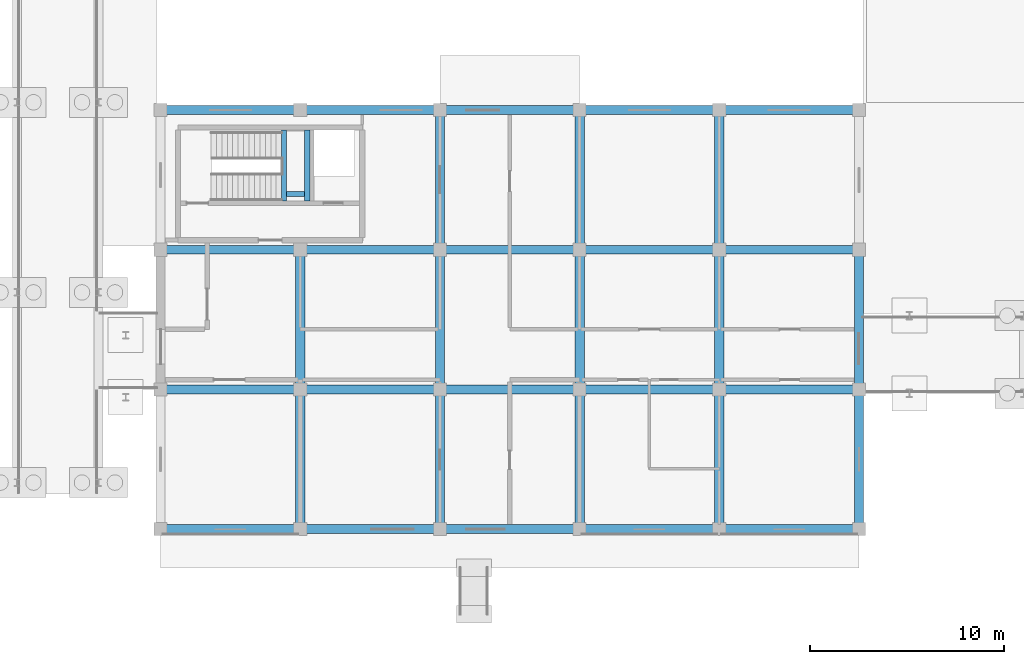
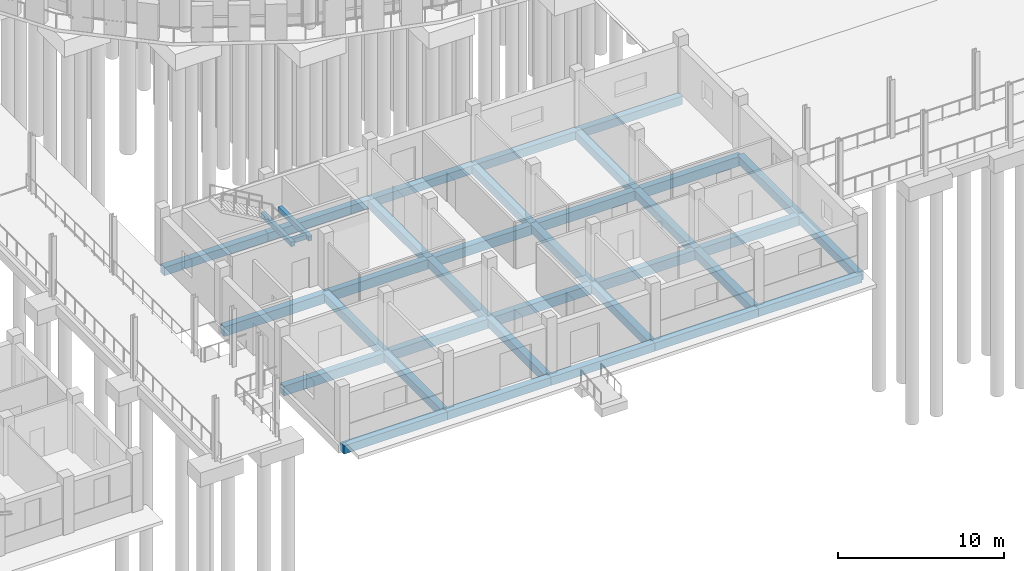
# One storey, part 28 of 98: 36 beams.
"""IFC4 building model written with IfcOpenShell, lengths in metres."""

from ifc_helpers import new_model, si_unit, direction, frame, origin, origin_2d, place, context, subcontext, project, spatial, rectangle, extrude, material, material_profile, profile_set, type_object, element, save


model = new_model("IFC4")

# Units and contexts
model_context = context("Model", 3, precision=1e-05, world=origin(), true_north=direction((0.0, 1.0)))
body_context = subcontext(model_context, "Body", "Model", "MODEL_VIEW")
ifc_project = project(units=[si_unit("LENGTHUNIT", "METRE"), si_unit("AREAUNIT", "SQUARE_METRE"), si_unit("VOLUMEUNIT", "CUBIC_METRE"), si_unit("PLANEANGLEUNIT", "RADIAN"), si_unit("MASSUNIT", "GRAM", prefix="KILO")], contexts=[model_context])

# Site, building, storey
site_placement = place(None, origin())
site = spatial("IfcSite", under=ifc_project, at=site_placement, CompositionType="ELEMENT")
building_placement = place(site_placement, origin())
building = spatial("IfcBuilding", under=site, at=building_placement, Name="Zornivar Specialist Clinic", CompositionType="ELEMENT")
storey_placement = place(building_placement, origin())
storey = spatial("IfcBuildingStorey", under=building, at=storey_placement, Name="L00", CompositionType="ELEMENT", Elevation=0.0)

# Beams
ifc_material_1 = material(Name="Concrete C30/37", Category="concrete")
ifc_material_profile_1 = material_profile(ifc_material_1, rectangle(XDim=0.260009765625, YDim=0.340087890625, at=origin_2d()), Name="RC 260x340")
ifc_profile_set_1 = profile_set([ifc_material_profile_1], Name="Concrete C30/37")
beam_type_1 = type_object("IfcBeamType", Name="BM-LAND-260x340", PredefinedType="BEAM", material=ifc_profile_set_1)
for number, where, z_axis, x_axis, name in (
    (1, (63.9599609375, 16.89990234375, 1.8701171875), (0.0, 1.0, 0.0), (-1.0, 0.0, 0.0), "bm:stair:C5:L00:lW"),
    (2, (65.159912109375, 16.89990234375, 1.8701171875), (0.0, 1.0, 0.0), (-1.0, 0.0, 0.0), "bm:stair:C5:L00:lE"),
):
    element("IfcBeam", number, at=place(storey_placement, frame(where, z_axis=z_axis, x_axis=x_axis)), inside=storey, type_object=beam_type_1, Name=name, PredefinedType="BEAM", context=body_context, shape_type="SweptSolid", body=[
        extrude(rectangle(XDim=0.260009765625, YDim=0.340087890625, at=origin_2d()), origin(), (0.0, 0.0, 1.0), 3.66015625),
    ])
beam_1_placement = place(storey_placement, frame((64.094970703125, 17.280029296875, 1.8701171875), z_axis=(1.0, 0.0, 0.0), x_axis=(0.0, 1.0, 0.0)))
element("IfcBeam", 3, at=beam_1_placement, inside=storey, type_object=beam_type_1, Name="bm:stair:C5:L00:lS", PredefinedType="BEAM", context=body_context, shape_type="SweptSolid", body=[
    extrude(rectangle(XDim=0.260009765625, YDim=0.340087890625, at=origin_2d()), origin(), (0.0, 0.0, 1.0), 0.929931640625),
])
ifc_material_2 = material(Name="Concrete C30/37", Category="concrete")
ifc_material_profile_2 = material_profile(ifc_material_2, rectangle(XDim=0.449951171875, YDim=0.699951171875, at=origin_2d()), Name="RC 450x700")
ifc_profile_set_2 = profile_set([ifc_material_profile_2], Name="Concrete C30/37")
beam_type_2 = type_object("IfcBeamType", Name="BM-RC-450x700", PredefinedType="BEAM", material=ifc_profile_set_2)
for number, where, z_axis, x_axis, name in (
    (4, (57.60009765625, 7.199951171875, -0.699951171875), (1.0, 0.0, 0.0), (0.0, 1.0, 0.0), "bm:V3:L00:x:72:0"),
    (5, (64.800048828125, 7.199951171875, -0.699951171875), (1.0, 0.0, 0.0), (0.0, 1.0, 0.0), "bm:V3:L00:x:72:1"),
    (6, (72.0, 7.199951171875, -0.699951171875), (1.0, 0.0, 0.0), (0.0, 1.0, 0.0), "bm:V3:L00:x:72:2"),
    (7, (79.199951171875, 7.199951171875, -0.699951171875), (1.0, 0.0, 0.0), (0.0, 1.0, 0.0), "bm:V3:L00:x:72:3"),
):
    element("IfcBeam", number, at=place(storey_placement, frame(where, z_axis=z_axis, x_axis=x_axis)), inside=storey, type_object=beam_type_2, Name=name, PredefinedType="BEAM", context=body_context, shape_type="SweptSolid", body=[
        extrude(rectangle(XDim=0.449951171875, YDim=0.699951171875, at=origin_2d()), origin(), (0.0, 0.0, 1.0), 7.199951171875),
    ])
beam_2_placement = place(storey_placement, frame((86.39990234375, 7.199951171875, -0.699951171875), z_axis=(1.0, 0.0, 0.0), x_axis=(0.0, 1.0, 0.0)))
element("IfcBeam", 8, at=beam_2_placement, inside=storey, type_object=beam_type_2, Name="bm:V3:L00:x:72:4", PredefinedType="BEAM", context=body_context, shape_type="SweptSolid", body=[
    extrude(rectangle(XDim=0.449951171875, YDim=0.699951171875, at=origin_2d()), origin(), (0.0, 0.0, 1.0), 7.2001953125),
])
for number, where, z_axis, x_axis, name in (
    (9, (57.60009765625, 14.39990234375, -0.699951171875), (1.0, 0.0, 0.0), (0.0, 1.0, 0.0), "bm:V3:L00:x:144:0"),
    (10, (64.800048828125, 14.39990234375, -0.699951171875), (1.0, 0.0, 0.0), (0.0, 1.0, 0.0), "bm:V3:L00:x:144:1"),
    (11, (72.0, 14.39990234375, -0.699951171875), (1.0, 0.0, 0.0), (0.0, 1.0, 0.0), "bm:V3:L00:x:144:2"),
    (12, (79.199951171875, 14.39990234375, -0.699951171875), (1.0, 0.0, 0.0), (0.0, 1.0, 0.0), "bm:V3:L00:x:144:3"),
):
    element("IfcBeam", number, at=place(storey_placement, frame(where, z_axis=z_axis, x_axis=x_axis)), inside=storey, type_object=beam_type_2, Name=name, PredefinedType="BEAM", context=body_context, shape_type="SweptSolid", body=[
        extrude(rectangle(XDim=0.449951171875, YDim=0.699951171875, at=origin_2d()), origin(), (0.0, 0.0, 1.0), 7.199951171875),
    ])
beam_3_placement = place(storey_placement, frame((86.39990234375, 14.39990234375, -0.699951171875), z_axis=(1.0, 0.0, 0.0), x_axis=(0.0, 1.0, 0.0)))
element("IfcBeam", 13, at=beam_3_placement, inside=storey, type_object=beam_type_2, Name="bm:V3:L00:x:144:4", PredefinedType="BEAM", context=body_context, shape_type="SweptSolid", body=[
    extrude(rectangle(XDim=0.449951171875, YDim=0.699951171875, at=origin_2d()), origin(), (0.0, 0.0, 1.0), 7.2001953125),
])
ifc_material_3 = material(Name="Concrete C30/37", Category="concrete")
ifc_material_profile_3 = material_profile(ifc_material_3, rectangle(XDim=0.47998046875, YDim=0.60009765625, at=origin_2d()), Name="RC 480x600")
ifc_profile_set_3 = profile_set([ifc_material_profile_3], Name="Concrete C30/37")
beam_type_3 = type_object("IfcBeamType", Name="BM-RC-480x600", PredefinedType="BEAM", material=ifc_profile_set_3)
for number, where, z_axis, x_axis, name in (
    (14, (64.800048828125, 0.0, -0.64990234375), (0.0, 1.0, 0.0), (-1.0, 0.0, 0.0), "bm:V3:L00:y:648:0"),
    (15, (64.800048828125, 7.199951171875, -0.64990234375), (0.0, 1.0, 0.0), (-1.0, 0.0, 0.0), "bm:V3:L00:y:648:1"),
    (16, (72.0, 0.0, -0.64990234375), (0.0, 1.0, 0.0), (-1.0, 0.0, 0.0), "bm:V3:L00:y:720:0"),
    (17, (72.0, 7.199951171875, -0.64990234375), (0.0, 1.0, 0.0), (-1.0, 0.0, 0.0), "bm:V3:L00:y:720:1"),
):
    element("IfcBeam", number, at=place(storey_placement, frame(where, z_axis=z_axis, x_axis=x_axis)), inside=storey, type_object=beam_type_3, Name=name, PredefinedType="BEAM", context=body_context, shape_type="SweptSolid", body=[
        extrude(rectangle(XDim=0.47998046875, YDim=0.60009765625, at=origin_2d()), origin(), (0.0, 0.0, 1.0), 7.199951171875),
    ])
beam_4_placement = place(storey_placement, frame((72.0, 14.39990234375, -0.64990234375), z_axis=(0.0, 1.0, 0.0), x_axis=(-1.0, 0.0, 0.0)))
element("IfcBeam", 18, at=beam_4_placement, inside=storey, type_object=beam_type_3, Name="bm:V3:L00:y:720:2", PredefinedType="BEAM", context=body_context, shape_type="SweptSolid", body=[
    extrude(rectangle(XDim=0.47998046875, YDim=0.60009765625, at=origin_2d()), origin(), (0.0, 0.0, 1.0), 7.2001953125),
])
for number, where, z_axis, x_axis, name in (
    (19, (79.199951171875, 0.0, -0.64990234375), (0.0, 1.0, 0.0), (-1.0, 0.0, 0.0), "bm:V3:L00:y:792:0"),
    (20, (79.199951171875, 7.199951171875, -0.64990234375), (0.0, 1.0, 0.0), (-1.0, 0.0, 0.0), "bm:V3:L00:y:792:1"),
):
    element("IfcBeam", number, at=place(storey_placement, frame(where, z_axis=z_axis, x_axis=x_axis)), inside=storey, type_object=beam_type_3, Name=name, PredefinedType="BEAM", context=body_context, shape_type="SweptSolid", body=[
        extrude(rectangle(XDim=0.47998046875, YDim=0.60009765625, at=origin_2d()), origin(), (0.0, 0.0, 1.0), 7.199951171875),
    ])
beam_5_placement = place(storey_placement, frame((79.199951171875, 14.39990234375, -0.64990234375), z_axis=(0.0, 1.0, 0.0), x_axis=(-1.0, 0.0, 0.0)))
element("IfcBeam", 21, at=beam_5_placement, inside=storey, type_object=beam_type_3, Name="bm:V3:L00:y:792:2", PredefinedType="BEAM", context=body_context, shape_type="SweptSolid", body=[
    extrude(rectangle(XDim=0.47998046875, YDim=0.60009765625, at=origin_2d()), origin(), (0.0, 0.0, 1.0), 7.2001953125),
])
for number, where, z_axis, x_axis, name in (
    (22, (86.39990234375, 0.0, -0.64990234375), (0.0, 1.0, 0.0), (-1.0, 0.0, 0.0), "bm:V3:L00:y:864:0"),
    (23, (86.39990234375, 7.199951171875, -0.64990234375), (0.0, 1.0, 0.0), (-1.0, 0.0, 0.0), "bm:V3:L00:y:864:1"),
):
    element("IfcBeam", number, at=place(storey_placement, frame(where, z_axis=z_axis, x_axis=x_axis)), inside=storey, type_object=beam_type_3, Name=name, PredefinedType="BEAM", context=body_context, shape_type="SweptSolid", body=[
        extrude(rectangle(XDim=0.47998046875, YDim=0.60009765625, at=origin_2d()), origin(), (0.0, 0.0, 1.0), 7.199951171875),
    ])
beam_6_placement = place(storey_placement, frame((86.39990234375, 14.39990234375, -0.64990234375), z_axis=(0.0, 1.0, 0.0), x_axis=(-1.0, 0.0, 0.0)))
element("IfcBeam", 24, at=beam_6_placement, inside=storey, type_object=beam_type_3, Name="bm:V3:L00:y:864:2", PredefinedType="BEAM", context=body_context, shape_type="SweptSolid", body=[
    extrude(rectangle(XDim=0.47998046875, YDim=0.60009765625, at=origin_2d()), origin(), (0.0, 0.0, 1.0), 7.2001953125),
])
ifc_material_4 = material(Name="Concrete C30/37", Category="concrete")
ifc_material_profile_4 = material_profile(ifc_material_4, rectangle(XDim=0.4599609375, YDim=0.60009765625, at=origin_2d()), Name="RC 460x600")
ifc_profile_set_4 = profile_set([ifc_material_profile_4], Name="Concrete C30/37")
beam_type_4 = type_object("IfcBeamType", Name="BM-RC-SPANDREL-460x600", PredefinedType="SPANDREL", material=ifc_profile_set_4)
for number, where, z_axis, x_axis, name in (
    (25, (57.60009765625, 0.0, -0.64990234375), (1.0, 0.0, 0.0), (0.0, 1.0, 0.0), "bm:V3:L00:x:0:0"),
    (26, (64.800048828125, 0.0, -0.64990234375), (1.0, 0.0, 0.0), (0.0, 1.0, 0.0), "bm:V3:L00:x:0:1"),
    (27, (72.0, 0.0, -0.64990234375), (1.0, 0.0, 0.0), (0.0, 1.0, 0.0), "bm:V3:L00:x:0:2"),
    (28, (79.199951171875, 0.0, -0.64990234375), (1.0, 0.0, 0.0), (0.0, 1.0, 0.0), "bm:V3:L00:x:0:3"),
):
    element("IfcBeam", number, at=place(storey_placement, frame(where, z_axis=z_axis, x_axis=x_axis)), inside=storey, type_object=beam_type_4, Name=name, PredefinedType="SPANDREL", context=body_context, shape_type="SweptSolid", body=[
        extrude(rectangle(XDim=0.4599609375, YDim=0.60009765625, at=origin_2d()), origin(), (0.0, 0.0, 1.0), 7.199951171875),
    ])
beam_7_placement = place(storey_placement, frame((86.39990234375, 0.0, -0.64990234375), z_axis=(1.0, 0.0, 0.0), x_axis=(0.0, 1.0, 0.0)))
element("IfcBeam", 29, at=beam_7_placement, inside=storey, type_object=beam_type_4, Name="bm:V3:L00:x:0:4", PredefinedType="SPANDREL", context=body_context, shape_type="SweptSolid", body=[
    extrude(rectangle(XDim=0.4599609375, YDim=0.60009765625, at=origin_2d()), origin(), (0.0, 0.0, 1.0), 7.2001953125),
])
for number, where, z_axis, x_axis, name in (
    (30, (57.60009765625, 21.60009765625, -0.64990234375), (1.0, 0.0, 0.0), (0.0, 1.0, 0.0), "bm:V3:L00:x:216:0"),
    (31, (64.800048828125, 21.60009765625, -0.64990234375), (1.0, 0.0, 0.0), (0.0, 1.0, 0.0), "bm:V3:L00:x:216:1"),
    (32, (72.0, 21.60009765625, -0.64990234375), (1.0, 0.0, 0.0), (0.0, 1.0, 0.0), "bm:V3:L00:x:216:2"),
    (33, (79.199951171875, 21.60009765625, -0.64990234375), (1.0, 0.0, 0.0), (0.0, 1.0, 0.0), "bm:V3:L00:x:216:3"),
):
    element("IfcBeam", number, at=place(storey_placement, frame(where, z_axis=z_axis, x_axis=x_axis)), inside=storey, type_object=beam_type_4, Name=name, PredefinedType="SPANDREL", context=body_context, shape_type="SweptSolid", body=[
        extrude(rectangle(XDim=0.4599609375, YDim=0.60009765625, at=origin_2d()), origin(), (0.0, 0.0, 1.0), 7.199951171875),
    ])
beam_8_placement = place(storey_placement, frame((86.39990234375, 21.60009765625, -0.64990234375), z_axis=(1.0, 0.0, 0.0), x_axis=(0.0, 1.0, 0.0)))
element("IfcBeam", 34, at=beam_8_placement, inside=storey, type_object=beam_type_4, Name="bm:V3:L00:x:216:4", PredefinedType="SPANDREL", context=body_context, shape_type="SweptSolid", body=[
    extrude(rectangle(XDim=0.4599609375, YDim=0.60009765625, at=origin_2d()), origin(), (0.0, 0.0, 1.0), 7.2001953125),
])
for number, where, z_axis, x_axis, name in (
    (35, (93.60009765625, 0.0, -0.64990234375), (0.0, 1.0, 0.0), (-1.0, 0.0, 0.0), "bm:V3:L00:y:936:0"),
    (36, (93.60009765625, 7.199951171875, -0.64990234375), (0.0, 1.0, 0.0), (-1.0, 0.0, 0.0), "bm:V3:L00:y:936:1"),
):
    element("IfcBeam", number, at=place(storey_placement, frame(where, z_axis=z_axis, x_axis=x_axis)), inside=storey, type_object=beam_type_4, Name=name, PredefinedType="SPANDREL", context=body_context, shape_type="SweptSolid", body=[
        extrude(rectangle(XDim=0.4599609375, YDim=0.60009765625, at=origin_2d()), origin(), (0.0, 0.0, 1.0), 7.199951171875),
    ])

save(model, "model.ifc")
